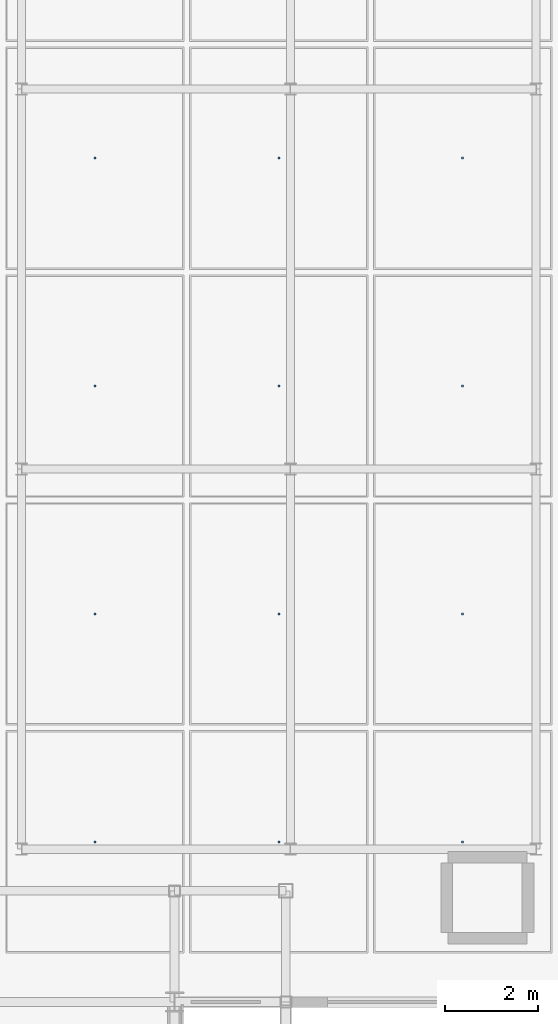
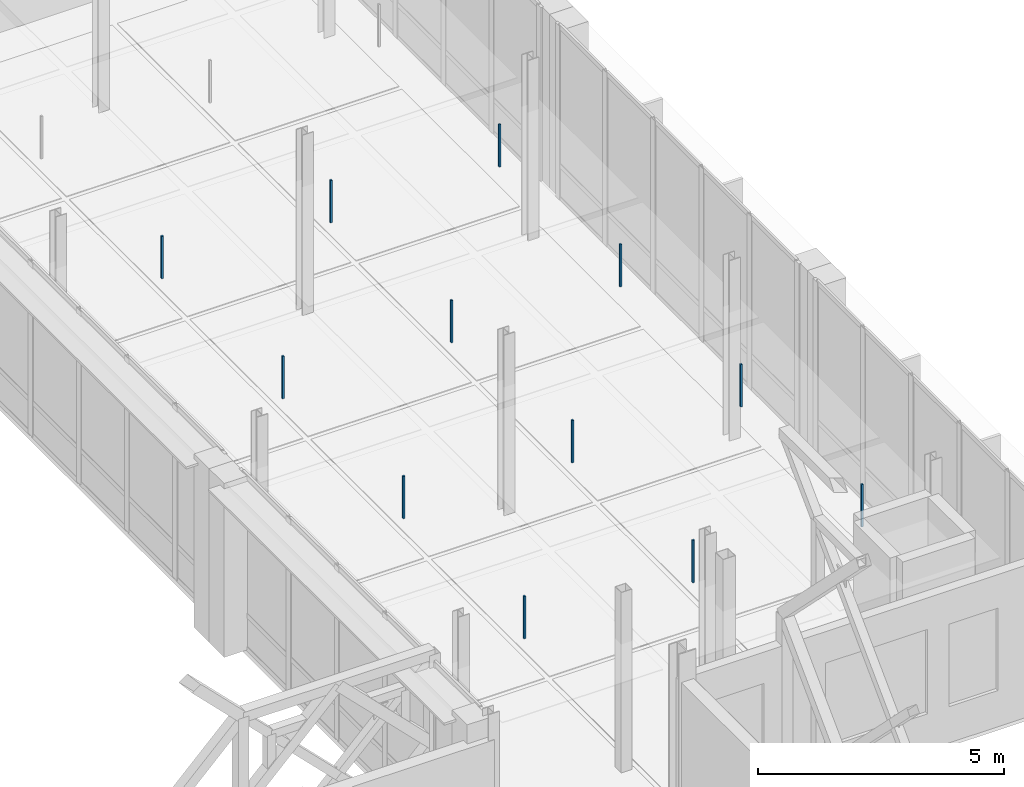
# One storey, part 105 of 140: 12 discrete accessories.
"""IFC4 building model written with IfcOpenShell, lengths in metres."""

from ifc_helpers import new_model, si_unit, direction, frame, origin, origin_2d, place, context, subcontext, project, spatial, rectangle, extrude, material, type_object, element, save


model = new_model("IFC4")

# Units and contexts
model_context = context("Model", 3, precision=1e-05, world=origin(), true_north=direction((0.0, 1.0)))
body_context = subcontext(model_context, "Body", "Model", "MODEL_VIEW")
ifc_project = project(units=[si_unit("LENGTHUNIT", "METRE"), si_unit("AREAUNIT", "SQUARE_METRE"), si_unit("VOLUMEUNIT", "CUBIC_METRE"), si_unit("PLANEANGLEUNIT", "RADIAN"), si_unit("MASSUNIT", "GRAM", prefix="KILO"), si_unit("THERMODYNAMICTEMPERATUREUNIT", "KELVIN"), si_unit("POWERUNIT", "WATT")], contexts=[model_context])

# Site, building, storey
site_placement = place(None, origin())
site = spatial("IfcSite", under=ifc_project, at=site_placement, CompositionType="ELEMENT")
building_placement = place(site_placement, origin())
building = spatial("IfcBuilding", under=site, at=building_placement, Name="Tallowbark Science Centre", CompositionType="ELEMENT")
storey_placement = place(building_placement, frame((0.0, 0.0, 9.89990234375)))
storey = spatial("IfcBuildingStorey", under=building, at=storey_placement, Name="L02", CompositionType="ELEMENT", Elevation=9.89990234375)

# Discrete accessories
ifc_material = material(Name="Galvanised Steel Grade C350L0 (350 MPa)", Category="steel")
discrete_accessory_type = type_object("IfcDiscreteAccessoryType", Name="ACC-CLG-HNG", PredefinedType="BRACKET", material=ifc_material)
for number, where, z_axis, x_axis, name in (
    (1, (101.783203125, 43.958251953125, 3.20947265625), (0.0, 0.0, 1.0), (1.0, 0.0, 0.0), "Ceiling Hanger Bracket L02-848"),
    (2, (101.783203125, 48.875, 3.20947265625), (0.0, 0.0, 1.0), (1.0, 0.0, 0.0), "Ceiling Hanger Bracket L02-849"),
    (3, (101.783203125, 53.791748046875, 3.20947265625), (0.0, 0.0, 1.0), (1.0, 0.0, 0.0), "Ceiling Hanger Bracket L02-850"),
    (4, (101.783203125, 58.708251953125, 3.20947265625), (0.0, 0.0, 1.0), (1.0, 0.0, 0.0), "Ceiling Hanger Bracket L02-851"),
    (5, (105.75, 43.958251953125, 3.20947265625), (0.0, 0.0, 1.0), (1.0, 0.0, 0.0), "Ceiling Hanger Bracket L02-854"),
    (6, (105.75, 48.875, 3.20947265625), (0.0, 0.0, 1.0), (1.0, 0.0, 0.0), "Ceiling Hanger Bracket L02-855"),
    (7, (105.75, 53.791748046875, 3.20947265625), (0.0, 0.0, 1.0), (1.0, 0.0, 0.0), "Ceiling Hanger Bracket L02-856"),
    (8, (105.75, 58.708251953125, 3.20947265625), (0.0, 0.0, 1.0), (1.0, 0.0, 0.0), "Ceiling Hanger Bracket L02-857"),
    (9, (109.716796875, 43.958251953125, 3.20947265625), (0.0, 0.0, 1.0), (1.0, 0.0, 0.0), "Ceiling Hanger Bracket L02-860"),
    (10, (109.716796875, 48.875, 3.20947265625), (0.0, 0.0, 1.0), (1.0, 0.0, 0.0), "Ceiling Hanger Bracket L02-861"),
    (11, (109.716796875, 53.791748046875, 3.20947265625), (0.0, 0.0, 1.0), (1.0, 0.0, 0.0), "Ceiling Hanger Bracket L02-862"),
    (12, (109.716796875, 58.708251953125, 3.20947265625), (0.0, 0.0, 1.0), (1.0, 0.0, 0.0), "Ceiling Hanger Bracket L02-863"),
):
    element("IfcDiscreteAccessory", number, at=place(storey_placement, frame(where, z_axis=z_axis, x_axis=x_axis)), inside=storey, type_object=discrete_accessory_type, Name=name, PredefinedType="BRACKET", context=body_context, shape_type="SweptSolid", body=[
        extrude(rectangle(XDim=0.044921875, YDim=0.044921875, at=origin_2d()), origin(), (0.0, 0.0, 1.0), 1.053466796875),
    ])

save(model, "model.ifc")
